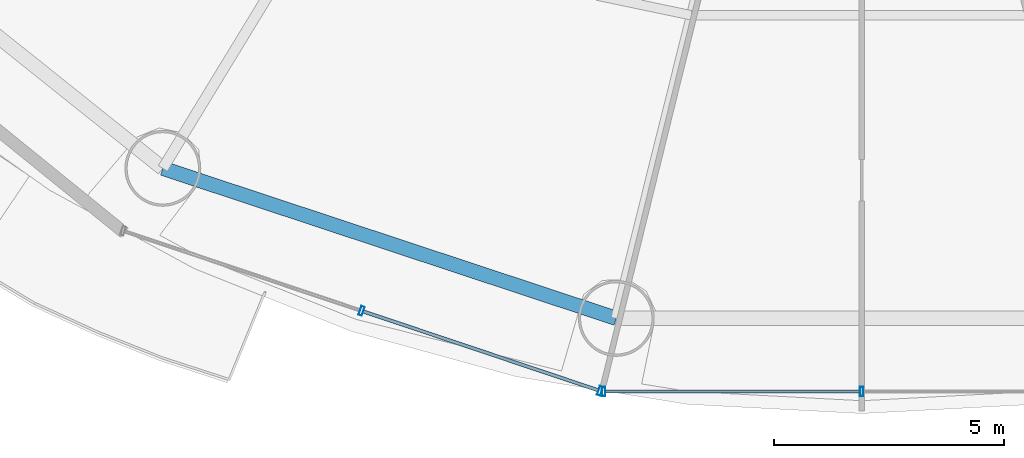
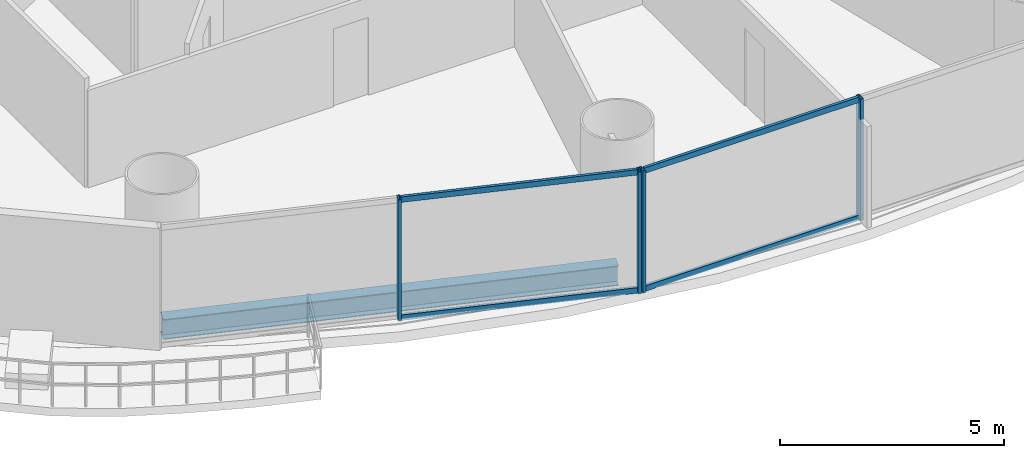
# One storey, part 4 of 29: 8 members, 1 beam, 2 elements without a shape of their own.
"""IFC4 building model written with IfcOpenShell, lengths in metres."""

from ifc_helpers import new_model, si_unit, direction, frame, origin, origin_2d, place, context, subcontext, project, spatial, hollow_rectangle, i_section, extrude, source, transform, mapped, material, material_profile, profile_set, type_object, element, aggregate, save


model = new_model("IFC4")

# Units and contexts
model_context = context("Model", 3, precision=1e-05, world=origin(), true_north=direction((-0.2419218956, 0.970295726276)))
body_context = subcontext(model_context, "Body", "Model", "MODEL_VIEW")
ifc_project = project(units=[si_unit("LENGTHUNIT", "METRE"), si_unit("AREAUNIT", "SQUARE_METRE"), si_unit("VOLUMEUNIT", "CUBIC_METRE"), si_unit("PLANEANGLEUNIT", "RADIAN"), si_unit("MASSUNIT", "GRAM", prefix="KILO")], contexts=[model_context])

# Site, building, storey
site_placement = place(None, origin())
site = spatial("IfcSite", under=ifc_project, at=site_placement, CompositionType="ELEMENT")
building_placement = place(site_placement, origin())
building = spatial("IfcBuilding", under=site, at=building_placement, Name="Cobrevalo Terracotta Tower", CompositionType="ELEMENT")
storey_placement = place(building_placement, frame((0.0, 0.0, 67.199951171875)))
storey = spatial("IfcBuildingStorey", under=building, at=storey_placement, Name="L17", CompositionType="ELEMENT", Elevation=67.199951171875)

# Beam
ifc_material_1 = material(Name="Steel S355", Category="steel")
ifc_material_profile_1 = material_profile(ifc_material_1, i_section(OverallWidth=0.31201171875, OverallDepth=0.54296875, WebThickness=0.0126953125, FlangeThickness=0.020263671875, at=origin_2d()), Name="W 530x150")
ifc_profile_set_1 = profile_set([ifc_material_profile_1], Name="Steel S355")
beam_type = type_object("IfcBeamType", Name="Structural Spandrel W 530x150 (Steel S355)", PredefinedType="SPANDREL", material=ifc_profile_set_1)
beam_placement = place(storey_placement, frame((22.80517578125, 8.63232421875, -0.551513671875), z_axis=(0.949372202648, -0.314153498848, 0.0), x_axis=(0.314153498848, 0.949372202648, 0.0)))
element("IfcBeam", 1, at=beam_placement, inside=storey, type_object=beam_type, Name="L17 perimeter ring spandrel 11", PredefinedType="SPANDREL", context=body_context, shape_type="SweptSolid", body=[
    extrude(i_section(OverallWidth=0.31201171875, OverallDepth=0.54296875, WebThickness=0.0126953125, FlangeThickness=0.020263671875, at=origin_2d()), origin(), (0.0, 0.0, 1.0), 10.385009765625),
])

# Curtain wall, members
ifc_material_2 = material(Name="Anodized aluminium", Category="aluminium")
curtain_wall_type = type_object("IfcCurtainWallType", Name="Lower-tower unitised acoustic low-E curtain wall CW-U1", PredefinedType="NOTDEFINED", material=ifc_material_2)
curtain_wall_1_placement = place(storey_placement, origin())
curtain_wall_1 = element("IfcCurtainWall", 2, at=curtain_wall_1_placement, inside=storey, type_object=curtain_wall_type, Name="L17 curtain wall CW-L17-S11", PredefinedType="NOTDEFINED")
ifc_material_profile_2 = material_profile(ifc_material_2, hollow_rectangle(XDim=0.074951171875, YDim=0.199951171875, WallThickness=0.0048828125, at=origin_2d()), Name="CWM 75x200")
ifc_profile_set_2 = profile_set([ifc_material_profile_2], Name="Anodized aluminium")
member_type_1 = type_object("IfcMemberType", Name="Lower/mid tower unitised mullion 75x200", PredefinedType="MULLION", material=ifc_profile_set_2)
shared_shape_1 = source(origin(), body_context, "Body", "SweptSolid", [
    extrude(hollow_rectangle(XDim=0.074951171875, YDim=0.199951171875, WallThickness=0.0048828125, at=origin_2d()), origin(), (0.0, 0.0, 1.0), 3.320068359375),
])
member_1_placement = place(storey_placement, frame((27.126708984375, 5.533203125, 0.0), z_axis=(0.0, 0.0, 1.0), x_axis=(0.948046393597, -0.318132103987, 0.0)))
member_1 = element("IfcMember", 3, at=member_1_placement, type_object=member_type_1, Name="CW-L17-S11 vertical mullion 02", PredefinedType="MULLION", context=body_context, shape_type="MappedRepresentation", body=[
    mapped(shared_shape_1, transform((0.0, 0.0, 0.0), scale=1.0)),
])
member_2_placement = place(storey_placement, frame((32.310302734375, 3.793701171875, 0.0), z_axis=(0.0, 0.0, 1.0), x_axis=(0.948046393597, -0.318132103987, 0.0)))
member_2 = element("IfcMember", 4, at=member_2_placement, type_object=member_type_1, Name="CW-L17-S11 vertical mullion 03", PredefinedType="MULLION", context=body_context, shape_type="MappedRepresentation", body=[
    mapped(shared_shape_1, transform((0.0, 0.0, 0.0), scale=1.0)),
])

curtain_wall_2_placement = place(storey_placement, origin())
curtain_wall_2 = element("IfcCurtainWall", 5, at=curtain_wall_2_placement, inside=storey, type_object=curtain_wall_type, Name="L17 curtain wall CW-L17-S12", PredefinedType="NOTDEFINED")
member_3_placement = place(storey_placement, frame((32.38818359375, 3.781005859375, 0.0), z_axis=(0.0, 0.0, 1.0), x_axis=(1.0, 0.0, 0.0)))
member_3 = element("IfcMember", 6, at=member_3_placement, type_object=member_type_1, Name="CW-L17-S12 vertical mullion 01", PredefinedType="MULLION", context=body_context, shape_type="MappedRepresentation", body=[
    mapped(shared_shape_1, transform((0.0, 0.0, 0.0), scale=1.0)),
])
member_4_placement = place(storey_placement, frame((38.0, 3.781005859375, 0.0), z_axis=(0.0, 0.0, 1.0), x_axis=(1.0, 0.0, 0.0)))
member_4 = element("IfcMember", 7, at=member_4_placement, type_object=member_type_1, Name="CW-L17-S12 vertical mullion 02", PredefinedType="MULLION", context=body_context, shape_type="MappedRepresentation", body=[
    mapped(shared_shape_1, transform((0.0, 0.0, 0.0), scale=1.0)),
])

# Member
ifc_material_profile_3 = material_profile(ifc_material_2, hollow_rectangle(XDim=0.074951171875, YDim=0.14990234375, WallThickness=0.00439453125, at=origin_2d()), Name="CWT 75x150")
ifc_profile_set_3 = profile_set([ifc_material_profile_3], Name="Anodized aluminium")
member_type_2 = type_object("IfcMemberType", Name="Tower unitised aluminium transom 75x150", PredefinedType="USERDEFINED", material=ifc_profile_set_3)
shared_shape_2 = source(origin(), body_context, "Body", "SweptSolid", [
    extrude(hollow_rectangle(XDim=0.074951171875, YDim=0.14990234375, WallThickness=0.00439453125, at=origin_2d()), origin(), (0.0, 0.0, 1.0), 5.387939453125),
])
member_5_placement = place(storey_placement, frame((27.16455078125, 5.5205078125, 0.050048828125), z_axis=(0.94804244582, -0.318143868278, 0.0), x_axis=(0.318143868278, 0.94804244582, 0.0)))
member_5 = element("IfcMember", 8, at=member_5_placement, type_object=member_type_2, Name="CW-L17-S11 transom B02-T1", ObjectType="TRANSOM", PredefinedType="USERDEFINED", context=body_context, shape_type="MappedRepresentation", body=[
    mapped(shared_shape_2, transform((0.0, 0.0, 0.0), scale=1.0)),
])

member_6_placement = place(storey_placement, frame((27.16455078125, 5.5205078125, 3.27001953125), z_axis=(0.94804244582, -0.318143868278, 0.0), x_axis=(0.318143868278, 0.94804244582, 0.0)))
member_6 = element("IfcMember", 9, at=member_6_placement, type_object=member_type_2, Name="CW-L17-S11 transom B02-T2", ObjectType="TRANSOM", PredefinedType="USERDEFINED", context=body_context, shape_type="MappedRepresentation", body=[
    mapped(shared_shape_2, transform((0.0, 0.0, 0.0), scale=1.0)),
])

aggregate(curtain_wall_1, [member_1, member_2, member_5, member_6])

shared_shape_3 = source(origin(), body_context, "Body", "SweptSolid", [
    extrude(hollow_rectangle(XDim=0.074951171875, YDim=0.14990234375, WallThickness=0.00439453125, at=origin_2d()), origin(), (0.0, 0.0, 1.0), 5.53173828125),
])
member_7_placement = place(storey_placement, frame((32.42822265625, 3.781005859375, 0.050048828125), z_axis=(1.0, 0.0, 0.0), x_axis=(0.0, 1.0, 0.0)))
member_7 = element("IfcMember", 10, at=member_7_placement, type_object=member_type_2, Name="CW-L17-S12 transom B01-T1", ObjectType="TRANSOM", PredefinedType="USERDEFINED", context=body_context, shape_type="MappedRepresentation", body=[
    mapped(shared_shape_3, transform((0.0, 0.0, 0.0), scale=1.0)),
])

member_8_placement = place(storey_placement, frame((32.42822265625, 3.781005859375, 3.27001953125), z_axis=(1.0, 0.0, 0.0), x_axis=(0.0, 1.0, 0.0)))
member_8 = element("IfcMember", 11, at=member_8_placement, type_object=member_type_2, Name="CW-L17-S12 transom B01-T2", ObjectType="TRANSOM", PredefinedType="USERDEFINED", context=body_context, shape_type="MappedRepresentation", body=[
    mapped(shared_shape_3, transform((0.0, 0.0, 0.0), scale=1.0)),
])

aggregate(curtain_wall_2, [member_3, member_4, member_7, member_8])

save(model, "model.ifc")
